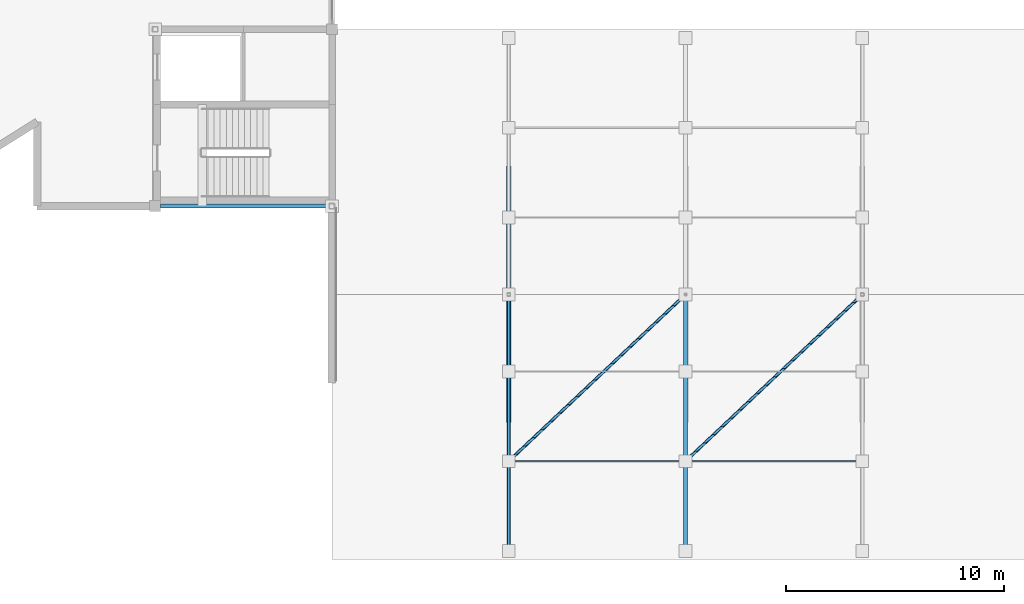
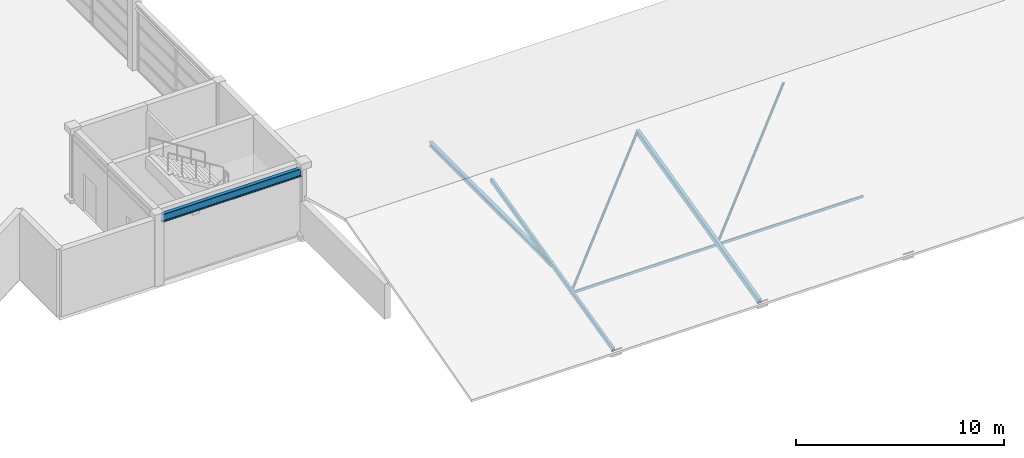
# One storey, part 15 of 54: 7 members, 1 beam.
"""IFC4 building model written with IfcOpenShell, lengths in metres."""

from ifc_helpers import new_model, si_unit, direction, frame, origin, origin_2d, place, context, subcontext, project, spatial, hollow_rectangle, hollow_circle, i_section, extrude, material, material_profile, profile_set, type_object, element, save


model = new_model("IFC4")

# Units and contexts
model_context = context("Model", 3, precision=1e-05, world=origin(), true_north=direction((0.0, 1.0)))
body_context = subcontext(model_context, "Body", "Model", "MODEL_VIEW")
ifc_project = project(units=[si_unit("LENGTHUNIT", "METRE"), si_unit("AREAUNIT", "SQUARE_METRE"), si_unit("VOLUMEUNIT", "CUBIC_METRE"), si_unit("PLANEANGLEUNIT", "RADIAN"), si_unit("MASSUNIT", "GRAM", prefix="KILO")], contexts=[model_context])

# Site, building, storey
site_placement = place(None, origin())
site = spatial("IfcSite", under=ifc_project, at=site_placement, CompositionType="ELEMENT")
building_placement = place(site_placement, origin())
building = spatial("IfcBuilding", under=site, at=building_placement, Name="Parian Resonance Hall", CompositionType="ELEMENT")
storey_placement = place(building_placement, frame((0.0, 0.0, 15.0)))
storey = spatial("IfcBuildingStorey", under=building, at=storey_placement, Name="L03", CompositionType="ELEMENT", Elevation=15.0)

# Beam
ifc_material_1 = material(Name="Steel S355", Category="steel")
ifc_material_profile_1 = material_profile(ifc_material_1, i_section(OverallWidth=0.194091796875, OverallDepth=0.468994140625, WebThickness=0.0126953125, FlangeThickness=0.0205078125, FilletRadius=0.01513671875, at=origin_2d()), Name="W460x106")
ifc_profile_set_1 = profile_set([ifc_material_profile_1], Name="Steel S355")
beam_type = type_object("IfcBeamType", Name="BM-W460x106", PredefinedType="SPANDREL", material=ifc_profile_set_1)
beam_placement = place(storey_placement, frame((65.050048828125, 16.199951171875, 3.74560546875), z_axis=(1.0, 0.0, 0.0), x_axis=(0.0, 1.0, 0.0)))
element("IfcBeam", 1, at=beam_placement, inside=storey, type_object=beam_type, Name="GX-L03-0825", PredefinedType="SPANDREL", context=body_context, shape_type="SweptSolid", body=[
    extrude(i_section(OverallWidth=0.194091796875, OverallDepth=0.468994140625, WebThickness=0.0126953125, FlangeThickness=0.0205078125, FilletRadius=0.01513671875, at=origin_2d()), origin(), (0.0, 0.0, 1.0), 7.724853515625),
])

# Members
ifc_material_2 = material(Name="Hollow structural steel S355", Category="steel")
ifc_material_profile_2 = material_profile(ifc_material_2, hollow_circle(Radius=0.06982421875, WallThickness=0.00634765625, at=origin_2d()), Name="CHS139.7x6.3")
ifc_profile_set_2 = profile_set([ifc_material_profile_2], Name="Hollow structural steel S355")
member_type_1 = type_object("IfcMemberType", Name="MEM-CHS139", PredefinedType="BRACE", material=ifc_profile_set_2)
member_1_placement = place(storey_placement, frame((81.0, 4.512451171875, 0.827392578125), z_axis=(0.715860357857, 0.674973162181, 0.178760114077), x_axis=(-0.686023151074, 0.727579711228, 0.0)))
element("IfcMember", 2, at=member_1_placement, inside=storey, type_object=member_type_1, Name="Rehearsal roof wind brace 1", PredefinedType="BRACE", context=body_context, shape_type="SweptSolid", body=[
    extrude(hollow_circle(Radius=0.06982421875, WallThickness=0.00634765625, at=origin_2d()), origin(), (0.0, 0.0, 1.0), 11.315185546875),
])
member_2_placement = place(storey_placement, frame((89.10009765625, 4.512451171875, 0.827392578125), z_axis=(0.715849838191, 0.67498358767, 0.178762875167), x_axis=(-0.686034097027, 0.72756939031, 0.0)))
element("IfcMember", 3, at=member_2_placement, inside=storey, type_object=member_type_1, Name="Rehearsal roof wind brace 2", PredefinedType="BRACE", context=body_context, shape_type="SweptSolid", body=[
    extrude(hollow_circle(Radius=0.06982421875, WallThickness=0.00634765625, at=origin_2d()), origin(), (0.0, 0.0, 1.0), 11.31494140625),
])
ifc_material_3 = material(Name="Hollow structural steel S355", Category="steel")
ifc_material_profile_3 = material_profile(ifc_material_3, hollow_rectangle(XDim=0.080078125, YDim=0.159912109375, WallThickness=0.00634765625, InnerFilletRadius=0.00634765625, OuterFilletRadius=0.0126953125, at=origin_2d()), Name="RHS160x80x6.3")
ifc_profile_set_3 = profile_set([ifc_material_profile_3], Name="Hollow structural steel S355")
member_type_2 = type_object("IfcMemberType", Name="MEM-RHS160", PredefinedType="PURLIN", material=ifc_profile_set_3)
member_3_placement = place(storey_placement, frame((81.0, 4.512451171875, 0.827392578125), z_axis=(1.0, 0.0, 0.0), x_axis=(0.0, 1.0, 0.0)))
element("IfcMember", 4, at=member_3_placement, inside=storey, type_object=member_type_2, Name="Rehearsal roof purlin S1.1", PredefinedType="PURLIN", context=body_context, shape_type="SweptSolid", body=[
    extrude(hollow_rectangle(XDim=0.080078125, YDim=0.159912109375, WallThickness=0.00634765625, InnerFilletRadius=0.00634765625, OuterFilletRadius=0.0126953125, at=origin_2d()), origin(), (0.0, 0.0, 1.0), 8.10009765625),
])
member_4_placement = place(storey_placement, frame((89.10009765625, 4.512451171875, 0.827392578125), z_axis=(1.0, 0.0, 0.0), x_axis=(0.0, 1.0, 0.0)))
element("IfcMember", 5, at=member_4_placement, inside=storey, type_object=member_type_2, Name="Rehearsal roof purlin S1.2", PredefinedType="PURLIN", context=body_context, shape_type="SweptSolid", body=[
    extrude(hollow_rectangle(XDim=0.080078125, YDim=0.159912109375, WallThickness=0.00634765625, InnerFilletRadius=0.00634765625, OuterFilletRadius=0.0126953125, at=origin_2d()), origin(), (0.0, 0.0, 1.0), 8.099853515625),
])
ifc_material_4 = material(Name="Hollow structural steel S355", Category="steel")
ifc_material_profile_4 = material_profile(ifc_material_4, hollow_rectangle(XDim=0.14990234375, YDim=0.25, WallThickness=0.010009765625, InnerFilletRadius=0.010009765625, OuterFilletRadius=0.02001953125, at=origin_2d()), Name="RHS250x150x10")
ifc_profile_set_4 = profile_set([ifc_material_profile_4], Name="Hollow structural steel S355")
member_type_3 = type_object("IfcMemberType", Name="MEM-RHS250", PredefinedType="RAFTER", material=ifc_profile_set_4)
member_5_placement = place(storey_placement, frame((81.0, 0.39990234375, 0.0), z_axis=(0.0, 0.971819554994, 0.235726011573), x_axis=(-1.0, 0.0, 0.0)))
element("IfcMember", 6, at=member_5_placement, inside=storey, type_object=member_type_3, Name="Rehearsal roof south rafter 1", PredefinedType="RAFTER", context=body_context, shape_type="SweptSolid", body=[
    extrude(hollow_rectangle(XDim=0.14990234375, YDim=0.25, WallThickness=0.010009765625, InnerFilletRadius=0.010009765625, OuterFilletRadius=0.02001953125, at=origin_2d()), origin(), (0.0, 0.0, 1.0), 12.0908203125),
])
ifc_material_5 = material(Name="Hollow structural steel S355", Category="steel")
ifc_material_profile_5 = material_profile(ifc_material_5, hollow_rectangle(XDim=0.199951171875, YDim=0.300048828125, WallThickness=0.012451171875, InnerFilletRadius=0.012451171875, OuterFilletRadius=0.02490234375, at=origin_2d()), Name="RHS300x200x12.5")
ifc_profile_set_5 = profile_set([ifc_material_profile_5], Name="Hollow structural steel S355")
member_type_4 = type_object("IfcMemberType", Name="MEM-RHS300", PredefinedType="RAFTER", material=ifc_profile_set_5)
member_6_placement = place(storey_placement, frame((89.10009765625, 0.39990234375, 0.0), z_axis=(0.0, 0.971819554994, 0.235726011573), x_axis=(-1.0, 0.0, 0.0)))
element("IfcMember", 7, at=member_6_placement, inside=storey, type_object=member_type_4, Name="Rehearsal roof south rafter 2", PredefinedType="RAFTER", context=body_context, shape_type="SweptSolid", body=[
    extrude(hollow_rectangle(XDim=0.199951171875, YDim=0.300048828125, WallThickness=0.012451171875, InnerFilletRadius=0.012451171875, OuterFilletRadius=0.02490234375, at=origin_2d()), origin(), (0.0, 0.0, 1.0), 12.0908203125),
])
ifc_material_6 = material(Name="Steel S355", Category="steel")
ifc_material_profile_6 = material_profile(ifc_material_6, i_section(OverallWidth=0.202880859375, OverallDepth=0.251953125, WebThickness=0.008056640625, FlangeThickness=0.013427734375, FilletRadius=0.0126953125, at=origin_2d()), Name="W250x58")
ifc_profile_set_6 = profile_set([ifc_material_profile_6], Name="Steel S355")
member_type_5 = type_object("IfcMemberType", Name="MEM-W250-CHORD", PredefinedType="CHORD", material=ifc_profile_set_6)
member_7_placement = place(storey_placement, frame((81.0, 6.27490234375, 1.425048828125), z_axis=(0.0, 1.0, 0.0), x_axis=(-1.0, 0.0, 0.0)))
element("IfcMember", 8, at=member_7_placement, inside=storey, type_object=member_type_5, Name="Rehearsal roof collar chord 1", PredefinedType="CHORD", context=body_context, shape_type="SweptSolid", body=[
    extrude(i_section(OverallWidth=0.202880859375, OverallDepth=0.251953125, WebThickness=0.008056640625, FlangeThickness=0.013427734375, FilletRadius=0.0126953125, at=origin_2d()), origin(), (0.0, 0.0, 1.0), 11.75),
])

save(model, "model.ifc")
